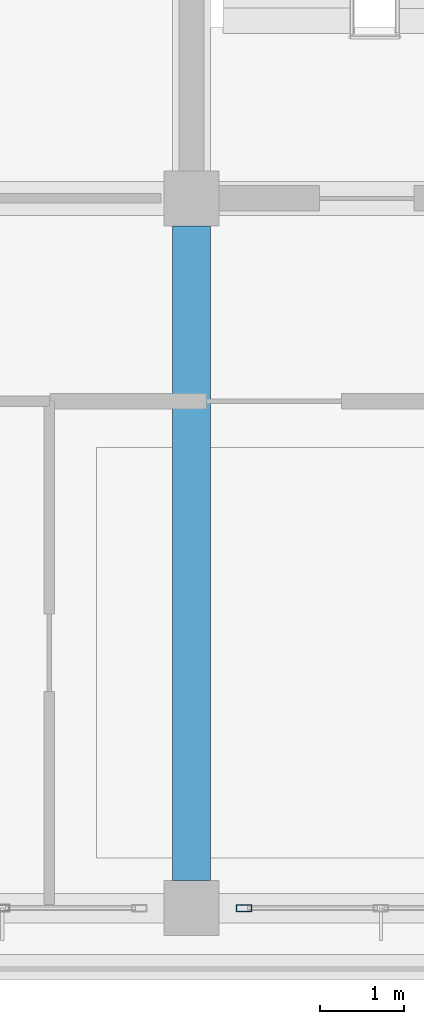
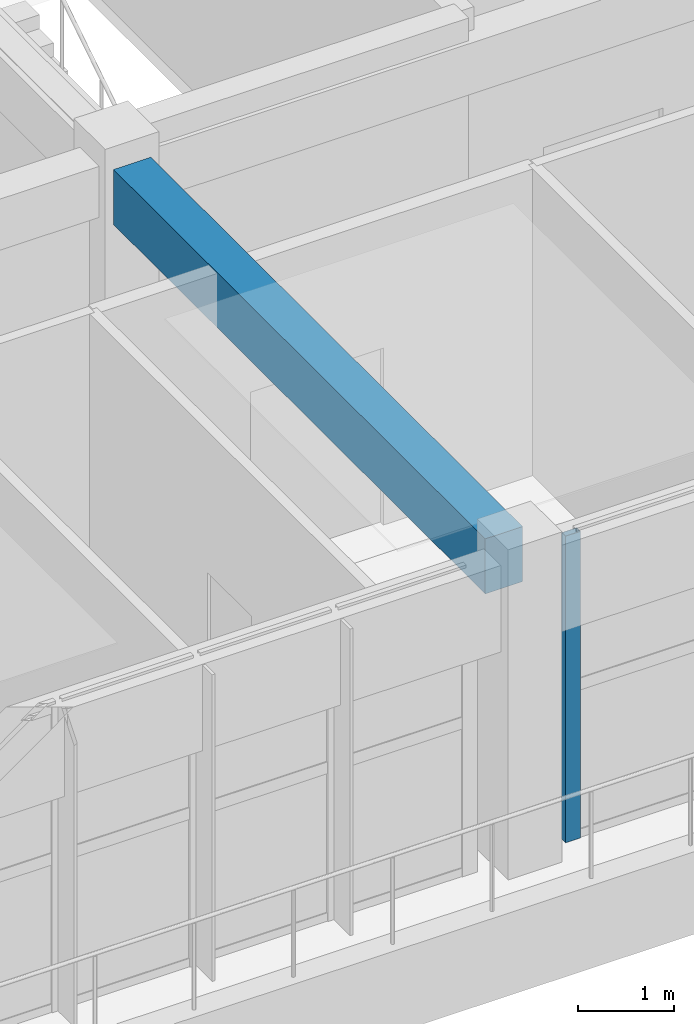
# One storey, part 13 of 63: 1 beam, 1 member, 1 element without a shape of its own.
"""IFC4 building model written with IfcOpenShell, lengths in metres."""

from ifc_helpers import new_model, si_unit, direction, frame, origin, origin_2d, place, context, subcontext, project, spatial, rectangle, hollow_rectangle, extrude, material, layer, layer_set, material_profile, profile_set, type_object, element, aggregate, save


model = new_model("IFC4")

# Units and contexts
model_context = context("Model", 3, precision=1e-05, world=origin(), true_north=direction((0.0, 1.0)))
body_context = subcontext(model_context, "Body", "Model", "MODEL_VIEW")
ifc_project = project(units=[si_unit("LENGTHUNIT", "METRE"), si_unit("AREAUNIT", "SQUARE_METRE"), si_unit("VOLUMEUNIT", "CUBIC_METRE"), si_unit("PLANEANGLEUNIT", "RADIAN"), si_unit("MASSUNIT", "GRAM", prefix="KILO")], contexts=[model_context])

# Site, building, storey
site_placement = place(None, origin())
site = spatial("IfcSite", under=ifc_project, at=site_placement, CompositionType="ELEMENT")
building_placement = place(site_placement, origin())
building = spatial("IfcBuilding", under=site, at=building_placement, Name="Zizhar Promenade General Hospital", CompositionType="ELEMENT")
storey_placement = place(building_placement, frame((0.0, 0.0, 18.0)))
storey = spatial("IfcBuildingStorey", under=building, at=storey_placement, Name="L04", CompositionType="ELEMENT", Elevation=18.0)

# Beam
ifc_material_1 = material(Name="Concrete C35/45", Category="concrete")
ifc_material_profile_1 = material_profile(ifc_material_1, rectangle(XDim=0.449951171875, YDim=0.699951171875, at=origin_2d()))
ifc_profile_set_1 = profile_set([ifc_material_profile_1], Name="Concrete C35/45")
beam_type = type_object("IfcBeamType", Name="BM-RC-450x700", PredefinedType="BEAM", material=ifc_profile_set_1)
beam_placement = place(storey_placement, frame((62.39990234375, 0.324951171875, 3.56005859375), z_axis=(0.0, 1.0, 0.0), x_axis=(-1.0, 0.0, 0.0)))
element("IfcBeam", 1, at=beam_placement, inside=storey, type_object=beam_type, Name="Grid Beam Y L04 (8-0)", PredefinedType="BEAM", context=body_context, shape_type="SweptSolid", body=[
    extrude(rectangle(XDim=0.449951171875, YDim=0.699951171875, at=origin_2d()), origin(), (0.0, 0.0, 1.0), 7.75),
])

# Curtain wall, member
ifc_material_2 = material(Name="Anodised aluminium 6063-T6 and low-E glass", Category="aluminium")
ifc_layer = layer(ifc_material_2, 0.159912109375)
ifc_layer_set = layer_set([ifc_layer], Name="Anodised aluminium 6063-T6 and low-E glass")
curtain_wall_type = type_object("IfcCurtainWallType", Name="CW-WARD-RIB", PredefinedType="NOTDEFINED", material=ifc_layer_set)
curtain_wall_placement = place(storey_placement, origin())
curtain_wall = element("IfcCurtainWall", 2, at=curtain_wall_placement, inside=storey, type_object=curtain_wall_type, Name="Ward Ribbon Curtain Wall L04-17-6", PredefinedType="NOTDEFINED")
ifc_material_3 = material(Name="Anodised aluminium 6063-T6", Category="aluminium")
ifc_material_profile_2 = material_profile(ifc_material_3, hollow_rectangle(XDim=0.080078125, YDim=0.179931640625, WallThickness=0.0048828125, at=origin_2d()))
ifc_profile_set_2 = profile_set([ifc_material_profile_2], Name="Anodised aluminium 6063-T6")
member_type = type_object("IfcMemberType", Name="CWM-ALU-180x80", PredefinedType="MULLION", material=ifc_profile_set_2)
member_placement = place(storey_placement, frame((63.02001953125, 0.0, 0.0), z_axis=(0.0, 0.0, 1.0), x_axis=(0.0, -1.0, 0.0)))
member = element("IfcMember", 3, at=member_placement, type_object=member_type, Name="CW-13 mullion 5", PredefinedType="MULLION", context=body_context, shape_type="SweptSolid", body=[
    extrude(hollow_rectangle(XDim=0.080078125, YDim=0.179931640625, WallThickness=0.0048828125, at=origin_2d()), origin(), (0.0, 0.0, 1.0), 3.89990234375),
])
aggregate(curtain_wall, [member])

save(model, "model.ifc")
